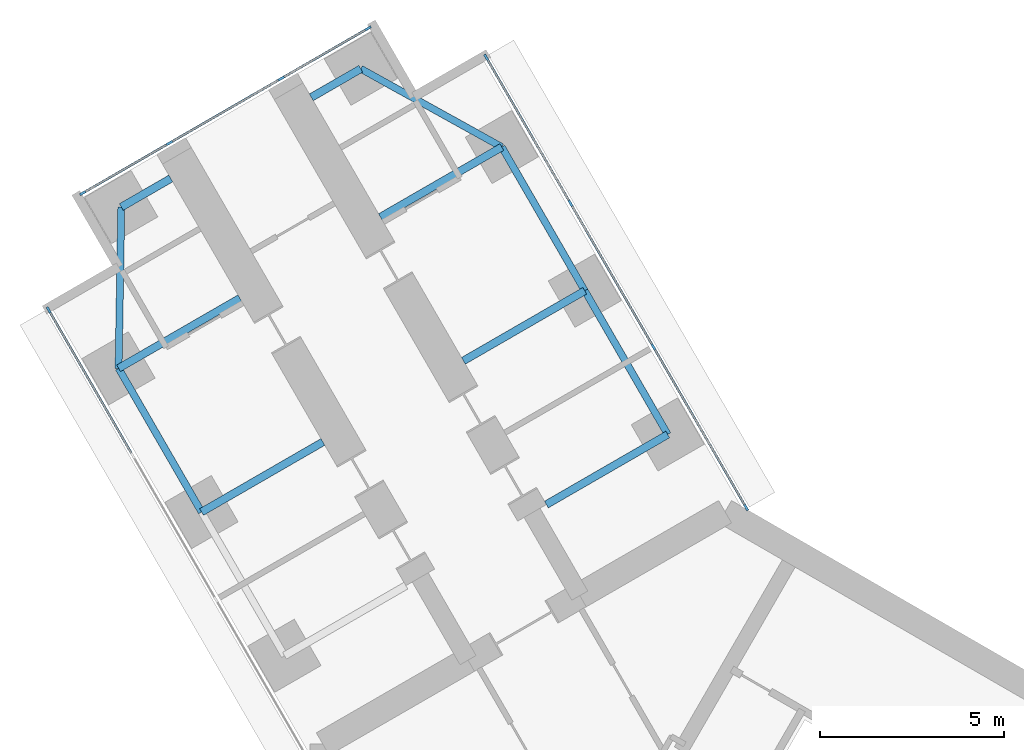
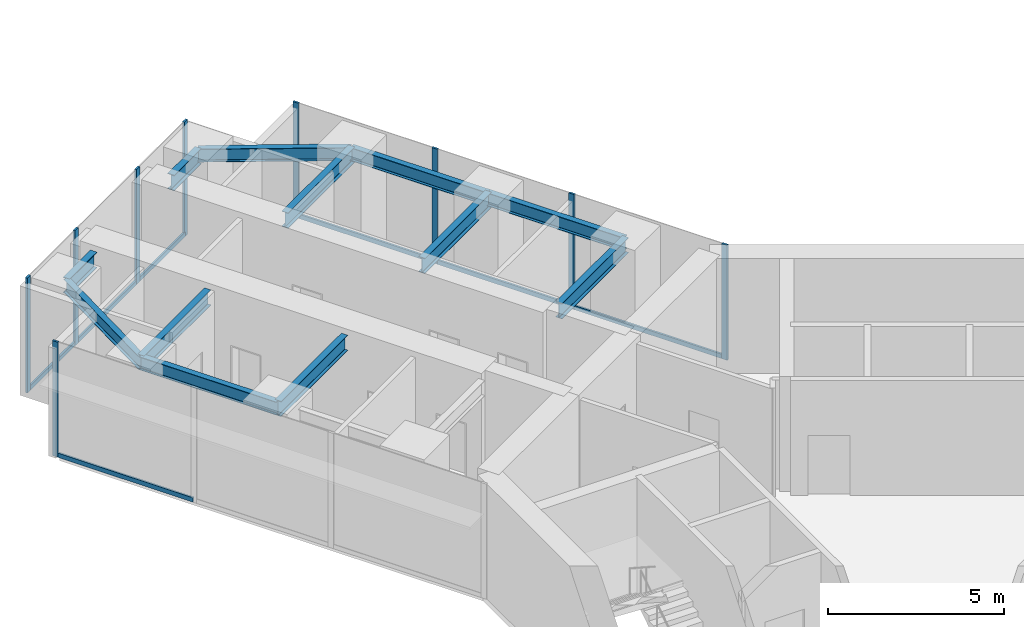
# One storey, part 7 of 24: 16 members, 12 beams, 3 elements without a shape of their own.
"""IFC4 building model written with IfcOpenShell, lengths in metres."""

from ifc_helpers import new_model, si_unit, direction, frame, origin, origin_2d, place, context, subcontext, project, spatial, rectangle, i_section, extrude, material, material_profile, profile_set, type_object, element, aggregate, save


model = new_model("IFC4")

# Units and contexts
model_context = context("Model", 3, precision=1e-05, world=origin(), true_north=direction((0.0, 1.0)))
body_context = subcontext(model_context, "Body", "Model", "MODEL_VIEW")
ifc_project = project(units=[si_unit("LENGTHUNIT", "METRE"), si_unit("AREAUNIT", "SQUARE_METRE"), si_unit("VOLUMEUNIT", "CUBIC_METRE"), si_unit("PLANEANGLEUNIT", "RADIAN"), si_unit("MASSUNIT", "GRAM", prefix="KILO")], contexts=[model_context])

# Site, building, storey
site_placement = place(None, origin())
site = spatial("IfcSite", under=ifc_project, at=site_placement, CompositionType="ELEMENT")
building_placement = place(site_placement, origin())
building = spatial("IfcBuilding", under=site, at=building_placement, Name="Upepo Twin Towers", CompositionType="ELEMENT")
storey_placement = place(building_placement, frame((0.0, 0.0, 56.5)))
storey = spatial("IfcBuildingStorey", under=building, at=storey_placement, Name="L13", CompositionType="ELEMENT", Elevation=56.5)

# Beams
ifc_material_1 = material(Name="Steel S355", Category="steel")
ifc_material_profile_1 = material_profile(ifc_material_1, i_section(OverallWidth=0.1904296875, OverallDepth=0.45703125, WebThickness=0.009033203125, FlangeThickness=0.014404296875, FilletRadius=0.01025390625, at=origin_2d()), Name="UB 457x191x74")
ifc_profile_set_1 = profile_set([ifc_material_profile_1], Name="Steel S355")
beam_type_1 = type_object("IfcBeamType", Name="Beam UB 457x191x74", PredefinedType="BEAM", material=ifc_profile_set_1)
beam_1_placement = place(storey_placement, frame((-14.196044921875, 12.58837890625, 3.571533203125), z_axis=(-0.499990139034, 0.866031096941, 0.0), x_axis=(-0.866031096941, -0.499990139034, 0.0)))
element("IfcBeam", 1, at=beam_1_placement, inside=storey, type_object=beam_type_1, Name="T1 edge beam BL 18.0-22.5", PredefinedType="BEAM", context=body_context, shape_type="SweptSolid", body=[
    extrude(i_section(OverallWidth=0.1904296875, OverallDepth=0.45703125, WebThickness=0.009033203125, FlangeThickness=0.014404296875, FilletRadius=0.01025390625, at=origin_2d()), origin(), (0.0, 0.0, 1.0), 4.5),
])
beam_2_placement = place(storey_placement, frame((-16.446044921875, 16.485595703125, 3.571533203125), z_axis=(0.016803880528, 0.999858804832, 0.0), x_axis=(-0.999858804832, 0.016803880528, 0.0)))
element("IfcBeam", 2, at=beam_2_placement, inside=storey, type_object=beam_type_1, Name="T1 nose edge beam BL", PredefinedType="BEAM", context=body_context, shape_type="SweptSolid", body=[
    extrude(i_section(OverallWidth=0.1904296875, OverallDepth=0.45703125, WebThickness=0.009033203125, FlangeThickness=0.014404296875, FilletRadius=0.01025390625, at=origin_2d()), origin(), (0.0, 0.0, 1.0), 4.373291015625),
])
beam_3_placement = place(storey_placement, frame((-1.553955078125, 14.69140625, 3.571533203125), z_axis=(-0.500013631625, 0.866017533419, 0.0), x_axis=(-0.866017533419, -0.500013631625, 0.0)))
element("IfcBeam", 3, at=beam_3_placement, inside=storey, type_object=beam_type_1, Name="T1 edge beam BR 13.5-18.0", PredefinedType="BEAM", context=body_context, shape_type="SweptSolid", body=[
    extrude(i_section(OverallWidth=0.1904296875, OverallDepth=0.45703125, WebThickness=0.009033203125, FlangeThickness=0.014404296875, FilletRadius=0.01025390625, at=origin_2d()), origin(), (0.0, 0.0, 1.0), 4.499755859375),
])
beam_4_placement = place(storey_placement, frame((-3.803955078125, 18.58837890625, 3.571533203125), z_axis=(-0.499990139034, 0.866031096941, 0.0), x_axis=(-0.866031096941, -0.499990139034, 0.0)))
element("IfcBeam", 4, at=beam_4_placement, inside=storey, type_object=beam_type_1, Name="T1 edge beam BR 18.0-22.5", PredefinedType="BEAM", context=body_context, shape_type="SweptSolid", body=[
    extrude(i_section(OverallWidth=0.1904296875, OverallDepth=0.45703125, WebThickness=0.009033203125, FlangeThickness=0.014404296875, FilletRadius=0.01025390625, at=origin_2d()), origin(), (0.0, 0.0, 1.0), 4.5),
])
beam_5_placement = place(storey_placement, frame((-6.053955078125, 22.485595703125, 3.571533203125), z_axis=(-0.874312600038, 0.485363242752, 0.0), x_axis=(-0.485363242752, -0.874312600038, 0.0)))
element("IfcBeam", 5, at=beam_5_placement, inside=storey, type_object=beam_type_1, Name="T1 nose edge beam BR", PredefinedType="BEAM", context=body_context, shape_type="SweptSolid", body=[
    extrude(i_section(OverallWidth=0.1904296875, OverallDepth=0.45703125, WebThickness=0.009033203125, FlangeThickness=0.014404296875, FilletRadius=0.01025390625, at=origin_2d()), origin(), (0.0, 0.0, 1.0), 4.373046875),
])
ifc_material_2 = material(Name="Steel S355", Category="steel")
ifc_material_profile_2 = material_profile(ifc_material_2, i_section(OverallWidth=0.2119140625, OverallDepth=0.54443359375, WebThickness=0.0126953125, FlangeThickness=0.021240234375, FilletRadius=0.0126953125, at=origin_2d()), Name="UB 533x210x122")
ifc_profile_set_2 = profile_set([ifc_material_profile_2], Name="Steel S355")
beam_type_2 = type_object("IfcBeamType", Name="Beam UB 533x210x122", PredefinedType="BEAM", material=ifc_profile_set_2)
for number, where, z_axis, x_axis, name in (
    (6, (-16.37255859375, 20.858154296875, 3.52783203125), (0.866043940782, 0.499967891604, 0.0), (-0.499967891604, 0.866043940782, 0.0), "T1 nose beam BL"),
    (7, (-9.87744140625, 24.608154296875, 3.52783203125), (-0.866043940782, -0.499967891604, 0.0), (0.499967891604, -0.866043940782, 0.0), "T1 nose beam BR"),
):
    element("IfcBeam", number, at=place(storey_placement, frame(where, z_axis=z_axis, x_axis=x_axis)), inside=storey, type_object=beam_type_2, Name=name, PredefinedType="BEAM", context=body_context, shape_type="SweptSolid", body=[
        extrude(i_section(OverallWidth=0.2119140625, OverallDepth=0.54443359375, WebThickness=0.0126953125, FlangeThickness=0.021240234375, FilletRadius=0.0126953125, at=origin_2d()), origin(), (0.0, 0.0, 1.0), 1.5498046875),
    ])
ifc_material_3 = material(Name="Steel S355", Category="steel")
ifc_material_profile_3 = material_profile(ifc_material_3, i_section(OverallWidth=0.209228515625, OverallDepth=0.533203125, WebThickness=0.010009765625, FlangeThickness=0.015625, FilletRadius=0.0126953125, at=origin_2d()), Name="UB 533x210x92")
ifc_profile_set_3 = profile_set([ifc_material_profile_3], Name="Steel S355")
beam_type_3 = type_object("IfcBeamType", Name="Beam UB 533x210x92", PredefinedType="BEAM", material=ifc_profile_set_3)
beam_6_placement = place(storey_placement, frame((-14.196044921875, 12.58837890625, 3.533447265625), z_axis=(0.866000483506, 0.500043160704, 0.0), x_axis=(-0.500043160704, 0.866000483506, 0.0)))
element("IfcBeam", 8, at=beam_6_placement, inside=storey, type_object=beam_type_3, Name="T1 girder BL at 18.0", PredefinedType="BEAM", context=body_context, shape_type="SweptSolid", body=[
    extrude(i_section(OverallWidth=0.209228515625, OverallDepth=0.533203125, WebThickness=0.010009765625, FlangeThickness=0.015625, FilletRadius=0.0126953125, at=origin_2d()), origin(), (0.0, 0.0, 1.0), 3.800048828125),
])
beam_7_placement = place(storey_placement, frame((-16.446044921875, 16.485595703125, 3.533447265625), z_axis=(0.866028304915, 0.499994975061, 0.0), x_axis=(-0.499994975061, 0.866028304915, 0.0)))
element("IfcBeam", 9, at=beam_7_placement, inside=storey, type_object=beam_type_3, Name="T1 girder BL at 22.5", PredefinedType="BEAM", context=body_context, shape_type="SweptSolid", body=[
    extrude(i_section(OverallWidth=0.209228515625, OverallDepth=0.533203125, WebThickness=0.010009765625, FlangeThickness=0.015625, FilletRadius=0.0126953125, at=origin_2d()), origin(), (0.0, 0.0, 1.0), 3.7998046875),
])
beam_8_placement = place(storey_placement, frame((-1.553955078125, 14.69140625, 3.533447265625), z_axis=(-0.866000483506, -0.500043160704, 0.0), x_axis=(0.500043160704, -0.866000483506, 0.0)))
element("IfcBeam", 10, at=beam_8_placement, inside=storey, type_object=beam_type_3, Name="T1 girder BR at 13.5", PredefinedType="BEAM", context=body_context, shape_type="SweptSolid", body=[
    extrude(i_section(OverallWidth=0.209228515625, OverallDepth=0.533203125, WebThickness=0.010009765625, FlangeThickness=0.015625, FilletRadius=0.0126953125, at=origin_2d()), origin(), (0.0, 0.0, 1.0), 3.800048828125),
])
for number, where, z_axis, x_axis, name in (
    (11, (-3.803955078125, 18.58837890625, 3.533447265625), (-0.866028304915, -0.499994975061, 0.0), (0.499994975061, -0.866028304915, 0.0), "T1 girder BR at 18.0"),
    (12, (-6.053955078125, 22.485595703125, 3.533447265625), (-0.866028304915, -0.499994975061, 0.0), (0.499994975061, -0.866028304915, 0.0), "T1 girder BR at 22.5"),
):
    element("IfcBeam", number, at=place(storey_placement, frame(where, z_axis=z_axis, x_axis=x_axis)), inside=storey, type_object=beam_type_3, Name=name, PredefinedType="BEAM", context=body_context, shape_type="SweptSolid", body=[
        extrude(i_section(OverallWidth=0.209228515625, OverallDepth=0.533203125, WebThickness=0.010009765625, FlangeThickness=0.015625, FilletRadius=0.0126953125, at=origin_2d()), origin(), (0.0, 0.0, 1.0), 3.7998046875),
    ])

# Curtain wall, member
ifc_material_4 = material(Name="Aluminium and fritted glass", Category="aluminium")
curtain_wall_type = type_object("IfcCurtainWallType", Name="Tower curtain wall TW1, fritted glass", PredefinedType="NOTDEFINED", material=ifc_material_4)
curtain_wall_1_placement = place(storey_placement, origin())
curtain_wall_1 = element("IfcCurtainWall", 13, at=curtain_wall_1_placement, inside=storey, type_object=curtain_wall_type, Name="T1 L13 wing B flank L curtain wall", PredefinedType="NOTDEFINED")
ifc_material_5 = material(Name="Aluminium mullion", Category="aluminium")
ifc_material_profile_4 = material_profile(ifc_material_5, rectangle(XDim=0.06494140625, YDim=0.179931640625, at=origin_2d()), Name="MULLION 65x180")
ifc_profile_set_4 = profile_set([ifc_material_profile_4], Name="Aluminium mullion")
member_type_1 = type_object("IfcMemberType", Name="Mullion 65x180 TW1", PredefinedType="MULLION", material=ifc_profile_set_4)
member_1_placement = place(storey_placement, frame((-18.341064453125, 18.067626953125, 0.0), z_axis=(0.0, 0.0, 1.0), x_axis=(-0.866025389682, -0.500000024426, 0.0)))
member_1 = element("IfcMember", 14, at=member_1_placement, type_object=member_type_1, Name="T1 L13 wing B flank L curtain wall mullion 4", PredefinedType="MULLION", context=body_context, shape_type="SweptSolid", body=[
    extrude(rectangle(XDim=0.06494140625, YDim=0.179931640625, at=origin_2d()), origin(), (0.0, 0.0, 1.0), 4.0),
])

# Curtain wall, members
curtain_wall_2_placement = place(storey_placement, origin())
curtain_wall_2 = element("IfcCurtainWall", 15, at=curtain_wall_2_placement, inside=storey, type_object=curtain_wall_type, Name="T1 L13 wing B flank R curtain wall", PredefinedType="NOTDEFINED")
member_2_placement = place(storey_placement, frame((-6.4765625, 24.91748046875, 0.0), z_axis=(0.0, 0.0, 1.0), x_axis=(0.866025389682, 0.500000024426, 0.0)))
member_2 = element("IfcMember", 16, at=member_2_placement, type_object=member_type_1, Name="T1 L13 wing B flank R curtain wall mullion 1", PredefinedType="MULLION", context=body_context, shape_type="SweptSolid", body=[
    extrude(rectangle(XDim=0.06494140625, YDim=0.179931640625, at=origin_2d()), origin(), (0.0, 0.0, 1.0), 4.0),
])
member_3_placement = place(storey_placement, frame((-4.192626953125, 20.9619140625, 0.0), z_axis=(0.0, 0.0, 1.0), x_axis=(0.866025389682, 0.500000024426, 0.0)))
member_3 = element("IfcMember", 17, at=member_3_placement, type_object=member_type_1, Name="T1 L13 wing B flank R curtain wall mullion 2", PredefinedType="MULLION", context=body_context, shape_type="SweptSolid", body=[
    extrude(rectangle(XDim=0.06494140625, YDim=0.179931640625, at=origin_2d()), origin(), (0.0, 0.0, 1.0), 4.0),
])
member_4_placement = place(storey_placement, frame((-1.942626953125, 17.06494140625, 0.0), z_axis=(0.0, 0.0, 1.0), x_axis=(0.866025389682, 0.500000024426, 0.0)))
member_4 = element("IfcMember", 18, at=member_4_placement, type_object=member_type_1, Name="T1 L13 wing B flank R curtain wall mullion 3", PredefinedType="MULLION", context=body_context, shape_type="SweptSolid", body=[
    extrude(rectangle(XDim=0.06494140625, YDim=0.179931640625, at=origin_2d()), origin(), (0.0, 0.0, 1.0), 4.0),
])
member_5_placement = place(storey_placement, frame((0.572509765625, 12.70849609375, 0.0), z_axis=(0.0, 0.0, 1.0), x_axis=(0.866025389682, 0.500000024426, 0.0)))
member_5 = element("IfcMember", 19, at=member_5_placement, type_object=member_type_1, Name="T1 L13 wing B flank R curtain wall mullion 4", PredefinedType="MULLION", context=body_context, shape_type="SweptSolid", body=[
    extrude(rectangle(XDim=0.06494140625, YDim=0.179931640625, at=origin_2d()), origin(), (0.0, 0.0, 1.0), 4.0),
])

curtain_wall_3_placement = place(storey_placement, origin())
curtain_wall_3 = element("IfcCurtainWall", 20, at=curtain_wall_3_placement, inside=storey, type_object=curtain_wall_type, Name="T1 L13 wing B nose curtain wall", PredefinedType="NOTDEFINED")
member_6_placement = place(storey_placement, frame((-9.68115234375, 25.703125, 0.0), z_axis=(0.0, 0.0, 1.0), x_axis=(0.500000030502, -0.866025386174, 0.0)))
member_6 = element("IfcMember", 21, at=member_6_placement, type_object=member_type_1, Name="T1 L13 wing B nose curtain wall mullion 1", PredefinedType="MULLION", context=body_context, shape_type="SweptSolid", body=[
    extrude(rectangle(XDim=0.06494140625, YDim=0.179931640625, at=origin_2d()), origin(), (0.0, 0.0, 1.0), 4.0),
])
member_7_placement = place(storey_placement, frame((-12.034423828125, 24.34423828125, 0.0), z_axis=(0.0, 0.0, 1.0), x_axis=(0.500000030502, -0.866025386174, 0.0)))
member_7 = element("IfcMember", 22, at=member_7_placement, type_object=member_type_1, Name="T1 L13 wing B nose curtain wall mullion 2", PredefinedType="MULLION", context=body_context, shape_type="SweptSolid", body=[
    extrude(rectangle(XDim=0.06494140625, YDim=0.179931640625, at=origin_2d()), origin(), (0.0, 0.0, 1.0), 4.0),
])
member_8_placement = place(storey_placement, frame((-15.0654296875, 22.59423828125, 0.0), z_axis=(0.0, 0.0, 1.0), x_axis=(0.500000030502, -0.866025386174, 0.0)))
member_8 = element("IfcMember", 23, at=member_8_placement, type_object=member_type_1, Name="T1 L13 wing B nose curtain wall mullion 3", PredefinedType="MULLION", context=body_context, shape_type="SweptSolid", body=[
    extrude(rectangle(XDim=0.06494140625, YDim=0.179931640625, at=origin_2d()), origin(), (0.0, 0.0, 1.0), 4.0),
])
member_9_placement = place(storey_placement, frame((-17.4189453125, 21.235595703125, 0.0), z_axis=(0.0, 0.0, 1.0), x_axis=(0.500000030502, -0.866025386174, 0.0)))
member_9 = element("IfcMember", 24, at=member_9_placement, type_object=member_type_1, Name="T1 L13 wing B nose curtain wall mullion 4", PredefinedType="MULLION", context=body_context, shape_type="SweptSolid", body=[
    extrude(rectangle(XDim=0.06494140625, YDim=0.179931640625, at=origin_2d()), origin(), (0.0, 0.0, 1.0), 4.0),
])

# Member
ifc_material_6 = material(Name="Aluminium transom", Category="aluminium")
ifc_material_profile_5 = material_profile(ifc_material_6, rectangle(XDim=0.06494140625, YDim=0.14990234375, at=origin_2d()), Name="TRANSOM 65x150")
ifc_profile_set_5 = profile_set([ifc_material_profile_5], Name="Aluminium transom")
member_type_2 = type_object("IfcMemberType", Name="Transom 65x150 TW1", PredefinedType="USERDEFINED", material=ifc_profile_set_5)
member_10_placement = place(storey_placement, frame((-16.073486328125, 14.14013671875, 0.074951171875), z_axis=(-0.499982167615, 0.866035699072, 0.0), x_axis=(-0.866035699072, -0.499982167615, 0.0)))
member_10 = element("IfcMember", 25, at=member_10_placement, type_object=member_type_2, Name="T1 L13 wing B flank L curtain wall transom 3", ObjectType="TRANSOM", PredefinedType="USERDEFINED", context=body_context, shape_type="SweptSolid", body=[
    extrude(rectangle(XDim=0.06494140625, YDim=0.14990234375, at=origin_2d()), origin(), (0.0, 0.0, 1.0), 4.502685546875),
])

aggregate(curtain_wall_1, [member_1, member_10])

member_11_placement = place(storey_placement, frame((-6.460205078125, 24.889404296875, 0.074951171875), z_axis=(0.500005646842, -0.866022143554, 0.0), x_axis=(0.866022143554, 0.500005646842, 0.0)))
member_11 = element("IfcMember", 26, at=member_11_placement, type_object=member_type_2, Name="T1 L13 wing B flank R curtain wall transom 1", ObjectType="TRANSOM", PredefinedType="USERDEFINED", context=body_context, shape_type="SweptSolid", body=[
    extrude(rectangle(XDim=0.06494140625, YDim=0.14990234375, at=origin_2d()), origin(), (0.0, 0.0, 1.0), 4.50244140625),
])

member_12_placement = place(storey_placement, frame((-4.176513671875, 20.933837890625, 0.074951171875), z_axis=(0.500005184116, -0.866022410713, 0.0), x_axis=(0.866022410713, 0.500005184116, 0.0)))
member_12 = element("IfcMember", 27, at=member_12_placement, type_object=member_type_2, Name="T1 L13 wing B flank R curtain wall transom 2", ObjectType="TRANSOM", PredefinedType="USERDEFINED", context=body_context, shape_type="SweptSolid", body=[
    extrude(rectangle(XDim=0.06494140625, YDim=0.14990234375, at=origin_2d()), origin(), (0.0, 0.0, 1.0), 4.43505859375),
])

member_13_placement = place(storey_placement, frame((-1.926513671875, 17.036865234375, 0.074951171875), z_axis=(0.499983492876, -0.866034933967, 0.0), x_axis=(0.866034933967, 0.499983492876, 0.0)))
member_13 = element("IfcMember", 28, at=member_13_placement, type_object=member_type_2, Name="T1 L13 wing B flank R curtain wall transom 3", ObjectType="TRANSOM", PredefinedType="USERDEFINED", context=body_context, shape_type="SweptSolid", body=[
    extrude(rectangle(XDim=0.06494140625, YDim=0.14990234375, at=origin_2d()), origin(), (0.0, 0.0, 1.0), 4.965576171875),
])

aggregate(curtain_wall_2, [member_2, member_3, member_4, member_5, member_11, member_12, member_13])

member_14_placement = place(storey_placement, frame((-9.709228515625, 25.686767578125, 0.074951171875), z_axis=(-0.866036909293, -0.499980071345, 0.0), x_axis=(0.499980071345, -0.866036909293, 0.0)))
member_14 = element("IfcMember", 29, at=member_14_placement, type_object=member_type_2, Name="T1 L13 wing B nose curtain wall transom 1", ObjectType="TRANSOM", PredefinedType="USERDEFINED", context=body_context, shape_type="SweptSolid", body=[
    extrude(rectangle(XDim=0.06494140625, YDim=0.14990234375, at=origin_2d()), origin(), (0.0, 0.0, 1.0), 2.65234375),
])

member_15_placement = place(storey_placement, frame((-12.0625, 24.328125, 0.074951171875), z_axis=(-0.866025804792, -0.499999305434, 0.0), x_axis=(0.499999305434, -0.866025804792, 0.0)))
member_15 = element("IfcMember", 30, at=member_15_placement, type_object=member_type_2, Name="T1 L13 wing B nose curtain wall transom 2", ObjectType="TRANSOM", PredefinedType="USERDEFINED", context=body_context, shape_type="SweptSolid", body=[
    extrude(rectangle(XDim=0.06494140625, YDim=0.14990234375, at=origin_2d()), origin(), (0.0, 0.0, 1.0), 3.43505859375),
])

member_16_placement = place(storey_placement, frame((-15.09375, 22.578125, 0.074951171875), z_axis=(-0.865997053448, -0.500049101008, 0.0), x_axis=(0.500049101008, -0.865997053448, 0.0)))
member_16 = element("IfcMember", 31, at=member_16_placement, type_object=member_type_2, Name="T1 L13 wing B nose curtain wall transom 3", ObjectType="TRANSOM", PredefinedType="USERDEFINED", context=body_context, shape_type="SweptSolid", body=[
    extrude(rectangle(XDim=0.06494140625, YDim=0.14990234375, at=origin_2d()), origin(), (0.0, 0.0, 1.0), 2.652587890625),
])

aggregate(curtain_wall_3, [member_6, member_7, member_8, member_9, member_14, member_15, member_16])

save(model, "model.ifc")
